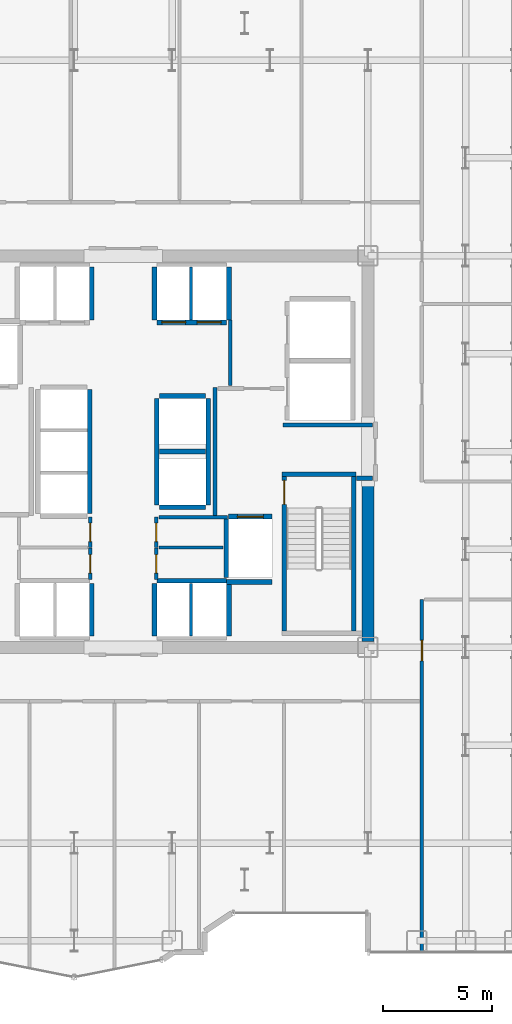
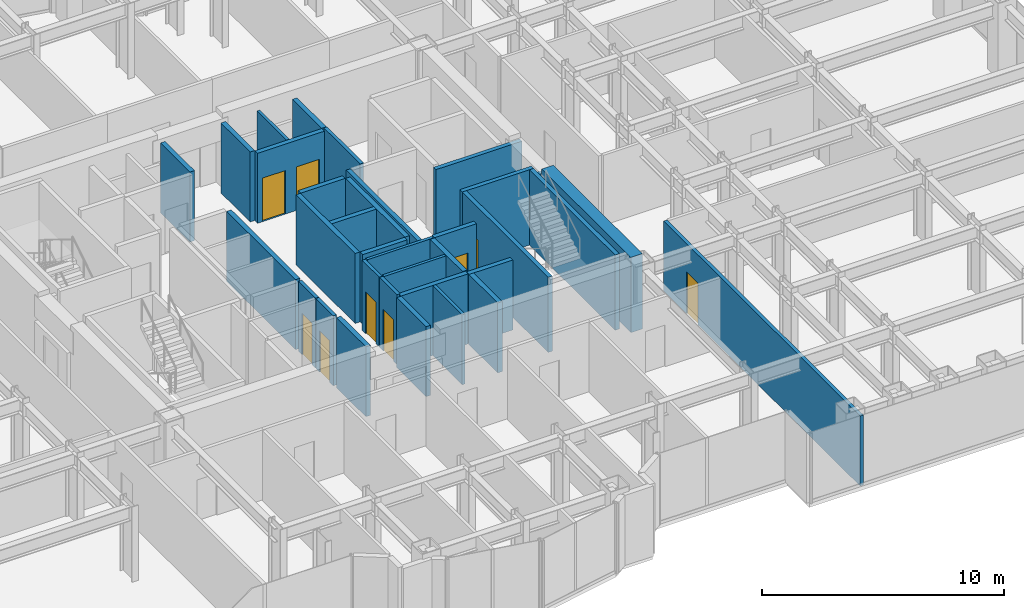
# One storey, part 22 of 26: 34 walls, 9 doors, 9 openings.
"""IFC4 building model written with IfcOpenShell, lengths in metres."""

from ifc_helpers import new_model, si_unit, direction, frame, frame_2d, origin, place, context, subcontext, project, spatial, rectangle, extrude, source, transform, mapped, material, layer, layer_set, type_object, element, fill, save


model = new_model("IFC4")

# Units and contexts
model_context = context("Model", 3, precision=1e-05, world=origin(), true_north=direction((0.0, 1.0)))
body_context = subcontext(model_context, "Body", "Model", "MODEL_VIEW")
ifc_project = project(units=[si_unit("LENGTHUNIT", "METRE"), si_unit("AREAUNIT", "SQUARE_METRE"), si_unit("VOLUMEUNIT", "CUBIC_METRE"), si_unit("PLANEANGLEUNIT", "RADIAN"), si_unit("MASSUNIT", "GRAM", prefix="KILO")], contexts=[model_context])

# Site, building, storey
site_placement = place(None, origin())
site = spatial("IfcSite", under=ifc_project, at=site_placement, CompositionType="ELEMENT")
building_placement = place(site_placement, origin())
building = spatial("IfcBuilding", under=site, at=building_placement, Name="Nefas-Gora Pilgrimage Tower", CompositionType="ELEMENT")
storey_placement = place(building_placement, frame((0.0, 0.0, 94.60009765625)))
storey = spatial("IfcBuildingStorey", under=building, at=storey_placement, Name="L22", CompositionType="ELEMENT", Elevation=94.60009765625)

# Walls
ifc_material_1 = material(Name="Concrete C60/75", Category="concrete")
ifc_layer_1 = layer(ifc_material_1, 0.550048828125)
ifc_layer_set_1 = layer_set([ifc_layer_1], Name="Concrete C60/75")
wall_type_1 = type_object("IfcWallType", Name="SW-CORE-550", PredefinedType="SHEAR", material=ifc_layer_set_1)
shared_shape_1 = source(origin(), body_context, "Body", "SweptSolid", [
    extrude(rectangle(XDim=7.375, YDim=0.550048828125, at=frame_2d((3.6875, 0.0))), origin(), (0.0, 0.0, 1.0), 3.7998046875),
])
wall_1_placement = place(storey_placement, frame((11.25, -8.72509765625, 0.0), z_axis=(0.0, 0.0, 1.0), x_axis=(0.0, 1.0, 0.0)))
element("IfcWall", 1, at=wall_1_placement, inside=storey, type_object=wall_type_1, Name="L22 Core Shear Wall E-South", PredefinedType="SHEAR", context=body_context, shape_type="MappedRepresentation", body=[
    mapped(shared_shape_1, transform((0.0, 0.0, 0.0), x_axis=(1.0, 0.0, 0.0), y_axis=(0.0, 1.0, 0.0), z_axis=(0.0, 0.0, 1.0), scale=1.0)),
])
ifc_material_2 = material(Name="Concrete C45/55", Category="concrete")
ifc_layer_2 = layer(ifc_material_2, 0.199951171875)
ifc_layer_set_2 = layer_set([ifc_layer_2], Name="Concrete C45/55")
wall_type_2 = type_object("IfcWallType", Name="IW-STAIR-200", PredefinedType="SOLIDWALL", material=ifc_layer_set_2)
shared_shape_2 = source(origin(), body_context, "Body", "SweptSolid", [
    extrude(rectangle(XDim=3.39990234375, YDim=0.199951171875, at=frame_2d((1.699951171875, 0.0))), origin(), (0.0, 0.0, 1.0), 3.7998046875),
])
wall_2_placement = place(storey_placement, frame((7.300048828125, -1.050048828125, 0.0), z_axis=(0.0, 0.0, 1.0), x_axis=(1.0, 0.0, 0.0)))
element("IfcWall", 2, at=wall_2_placement, inside=storey, type_object=wall_type_2, Name="L22 Stairwell Shear Wall ST-02-near", PredefinedType="SOLIDWALL", context=body_context, shape_type="MappedRepresentation", body=[
    mapped(shared_shape_2, transform((0.0, 0.0, 0.0), x_axis=(1.0, 0.0, 0.0), y_axis=(0.0, 1.0, 0.0), z_axis=(0.0, 0.0, 1.0), scale=1.0)),
])

# Wall, opening, door
shared_shape_3 = source(origin(), body_context, "Body", "SweptSolid", [
    extrude(rectangle(XDim=7.10009765625, YDim=0.199951171875, at=frame_2d((3.550048828125, 0.0))), origin(), (0.0, 0.0, 1.0), 3.7998046875),
])
wall_3_placement = place(storey_placement, frame((7.39990234375, -1.14990234375, 0.0), z_axis=(0.0, 0.0, 1.0), x_axis=(0.0, -1.0, 0.0)))
wall_3 = element("IfcWall", 3, at=wall_3_placement, inside=storey, type_object=wall_type_2, Name="L22 Stairwell Shear Wall ST-02-left", PredefinedType="SOLIDWALL", context=body_context, shape_type="MappedRepresentation", body=[
    mapped(shared_shape_3, transform((0.0, 0.0, 0.0), x_axis=(1.0, 0.0, 0.0), y_axis=(0.0, 1.0, 0.0), z_axis=(0.0, 0.0, 1.0), scale=1.0)),
])
opening_1_placement = place(wall_3_placement, frame((0.179931640625, 0.0, 0.0)))
opening_1 = element("IfcOpeningElement", 4, at=opening_1_placement, cuts=wall_3, Name="Opening ID-ST1", PredefinedType="OPENING", context=body_context, shape_type="SweptSolid", body=[
    extrude(rectangle(XDim=1.10009765625, YDim=2.14990234375, at=frame_2d((0.550048828125, 1.074951171875))), frame((0.0, 0.10986328125, 0.0), z_axis=(0.0, -1.0, 0.0), x_axis=(1.0, 0.0, 0.0)), (0.0, 0.0, 1.0), 0.219970703125),
])
ifc_material_3 = material(Name="Painted galvanised steel fire stair door", Category="steel")
door_type_1 = type_object("IfcDoorType", Name="DR-INT-STAIR-1100", OperationType="NOTDEFINED", PredefinedType="DOOR", material=ifc_material_3)
shared_shape_4 = source(origin(), body_context, "Body", "SweptSolid", [
    extrude(rectangle(XDim=1.10009765625, YDim=2.14990234375, at=frame_2d((0.550048828125, 1.074951171875))), frame((0.0, 0.02490234375, 0.0), z_axis=(0.0, -1.0, 0.0), x_axis=(1.0, 0.0, 0.0)), (0.0, 0.0, 1.0), 0.050048828125),
])
door_1_placement = place(opening_1_placement, origin())
door_1 = element("IfcDoor", 5, at=door_1_placement, inside=storey, type_object=door_type_1, Name="L22 Protected Exit Stair Door ST-02", OperationType="SINGLE_SWING_LEFT", OverallHeight=2.14990234375, OverallWidth=1.10009765625, PredefinedType="DOOR", context=body_context, shape_type="MappedRepresentation", body=[
    mapped(shared_shape_4, transform((0.0, 0.0, 0.0), x_axis=(1.0, 0.0, 0.0), y_axis=(0.0, 1.0, 0.0), z_axis=(0.0, 0.0, 1.0), scale=1.0)),
])
fill(opening_1, door_1)

# Wall
wall_4_placement = place(storey_placement, frame((10.60009765625, -1.14990234375, 0.0), z_axis=(0.0, 0.0, 1.0), x_axis=(0.0, -1.0, 0.0)))
element("IfcWall", 6, at=wall_4_placement, inside=storey, type_object=wall_type_2, Name="L22 Stairwell Shear Wall ST-02-right", PredefinedType="SOLIDWALL", context=body_context, shape_type="MappedRepresentation", body=[
    mapped(shared_shape_3, transform((0.0, 0.0, 0.0), x_axis=(1.0, 0.0, 0.0), y_axis=(0.0, 1.0, 0.0), z_axis=(0.0, 0.0, 1.0), scale=1.0)),
])

# Wall, opening, door
ifc_material_4 = material(Name="Concrete C40/50", Category="concrete")
ifc_layer_3 = layer(ifc_material_4, 0.219970703125)
ifc_layer_set_3 = layer_set([ifc_layer_3], Name="Concrete C40/50")
wall_type_3 = type_object("IfcWallType", Name="IW-SHAFT-220", PredefinedType="SOLIDWALL", material=ifc_layer_set_3)
shared_shape_5 = source(origin(), body_context, "Body", "SweptSolid", [
    extrude(rectangle(XDim=2.0, YDim=0.219970703125, at=frame_2d((1.0, 0.0))), origin(), (0.0, 0.0, 1.0), 3.534912109375),
])
wall_5_placement = place(storey_placement, frame((6.85009765625, -2.989990234375, 0.0), z_axis=(0.0, 0.0, 1.0), x_axis=(-1.0, 0.0, 0.0)))
wall_5 = element("IfcWall", 7, at=wall_5_placement, inside=storey, type_object=wall_type_3, Name="L22 Hoistway Wall FFL-02-N", PredefinedType="SOLIDWALL", context=body_context, shape_type="MappedRepresentation", body=[
    mapped(shared_shape_5, transform((0.0, 0.0, 0.0), x_axis=(1.0, 0.0, 0.0), y_axis=(0.0, 1.0, 0.0), z_axis=(0.0, 0.0, 1.0), scale=1.0)),
])
opening_2_placement = place(wall_5_placement, frame((0.39990234375, 0.0, 0.0)))
opening_2 = element("IfcOpeningElement", 8, at=opening_2_placement, cuts=wall_5, Name="Opening LD-FF", PredefinedType="OPENING", context=body_context, shape_type="SweptSolid", body=[
    extrude(rectangle(XDim=1.199951171875, YDim=2.199951171875, at=frame_2d((0.60009765625, 1.10009765625))), frame((0.0, 0.119873046875, 0.0), z_axis=(0.0, -1.0, 0.0), x_axis=(1.0, 0.0, 0.0)), (0.0, 0.0, 1.0), 0.239990234375),
])
ifc_material_5 = material(Name="Fire-service sliding lift landing door")
door_type_2 = type_object("IfcDoorType", Name="DR-LIFT-FSAE-1200", OperationType="SLIDING_TO_LEFT", PredefinedType="DOOR", material=ifc_material_5)
shared_shape_6 = source(origin(), body_context, "Body", "SweptSolid", [
    extrude(rectangle(XDim=1.199951171875, YDim=2.199951171875, at=frame_2d((0.60009765625, 1.10009765625))), frame((0.0, 0.02490234375, 0.0), z_axis=(0.0, -1.0, 0.0), x_axis=(1.0, 0.0, 0.0)), (0.0, 0.0, 1.0), 0.050048828125),
])
door_2_placement = place(opening_2_placement, origin())
door_2 = element("IfcDoor", 9, at=door_2_placement, inside=storey, type_object=door_type_2, Name="L22 Sliding Lift Landing Door FFL-02", OperationType="SLIDING_TO_LEFT", OverallHeight=2.199951171875, OverallWidth=1.199951171875, PredefinedType="DOOR", context=body_context, shape_type="MappedRepresentation", body=[
    mapped(shared_shape_6, transform((0.0, 0.0, 0.0), x_axis=(1.0, 0.0, 0.0), y_axis=(0.0, 1.0, 0.0), z_axis=(0.0, 0.0, 1.0), scale=1.0)),
])
fill(opening_2, door_2)

# Wall
shared_shape_7 = source(origin(), body_context, "Body", "SweptSolid", [
    extrude(rectangle(XDim=2.679931640625, YDim=0.219970703125, at=frame_2d((1.33984375, 0.0))), origin(), (0.0, 0.0, 1.0), 3.534912109375),
])
wall_6_placement = place(storey_placement, frame((4.739990234375, -3.110107421875, 0.0), z_axis=(0.0, 0.0, 1.0), x_axis=(0.0, -1.0, 0.0)))
element("IfcWall", 10, at=wall_6_placement, inside=storey, type_object=wall_type_3, Name="L22 Hoistway Wall FFL-02-W", PredefinedType="SOLIDWALL", context=body_context, shape_type="MappedRepresentation", body=[
    mapped(shared_shape_7, transform((0.0, 0.0, 0.0), x_axis=(1.0, 0.0, 0.0), y_axis=(0.0, 1.0, 0.0), z_axis=(0.0, 0.0, 1.0), scale=1.0)),
])

# Wall, openings, doors
shared_shape_8 = source(origin(), body_context, "Body", "SweptSolid", [
    extrude(rectangle(XDim=3.199951171875, YDim=0.219970703125, at=frame_2d((1.60009765625, 0.0))), origin(), (0.0, 0.0, 1.0), 3.534912109375),
])
wall_7_placement = place(storey_placement, frame((1.550048828125, 5.93994140625, 0.0), z_axis=(0.0, 0.0, 1.0), x_axis=(1.0, 0.0, 0.0)))
wall_7 = element("IfcWall", 11, at=wall_7_placement, inside=storey, type_object=wall_type_3, Name="L22 Hoistway Wall PL1-E-S", PredefinedType="SOLIDWALL", context=body_context, shape_type="MappedRepresentation", body=[
    mapped(shared_shape_8, transform((0.0, 0.0, 0.0), x_axis=(1.0, 0.0, 0.0), y_axis=(0.0, 1.0, 0.0), z_axis=(0.0, 0.0, 1.0), scale=1.0)),
])
opening_3_placement = place(wall_7_placement, frame((0.22509765625, 0.0, 0.0)))
opening_3 = element("IfcOpeningElement", 12, at=opening_3_placement, cuts=wall_7, Name="Opening LD-01", PredefinedType="OPENING", context=body_context, shape_type="SweptSolid", body=[
    extrude(rectangle(XDim=1.10009765625, YDim=2.199951171875, at=frame_2d((0.550048828125, 1.10009765625))), frame((0.0, 0.119873046875, 0.0), z_axis=(0.0, -1.0, 0.0), x_axis=(1.0, 0.0, 0.0)), (0.0, 0.0, 1.0), 0.239990234375),
])
opening_4_placement = place(wall_7_placement, frame((1.85009765625, 0.0, 0.0)))
opening_4 = element("IfcOpeningElement", 13, at=opening_4_placement, cuts=wall_7, Name="Opening LD-01", PredefinedType="OPENING", context=body_context, shape_type="SweptSolid", body=[
    extrude(rectangle(XDim=1.10009765625, YDim=2.199951171875, at=frame_2d((0.550048828125, 1.10009765625))), frame((0.0, 0.119873046875, 0.0), z_axis=(0.0, -1.0, 0.0), x_axis=(1.0, 0.0, 0.0)), (0.0, 0.0, 1.0), 0.239990234375),
])
ifc_material_6 = material(Name="Brushed stainless sliding lift landing door")
door_type_3 = type_object("IfcDoorType", Name="DR-LIFT-PASS-1100", OperationType="DOUBLE_DOOR_SLIDING", PredefinedType="DOOR", material=ifc_material_6)
shared_shape_9 = source(origin(), body_context, "Body", "SweptSolid", [
    extrude(rectangle(XDim=1.10009765625, YDim=2.199951171875, at=frame_2d((0.550048828125, 1.10009765625))), frame((0.0, 0.02490234375, 0.0), z_axis=(0.0, -1.0, 0.0), x_axis=(1.0, 0.0, 0.0)), (0.0, 0.0, 1.0), 0.050048828125),
])
door_3_placement = place(opening_3_placement, origin())
door_3 = element("IfcDoor", 14, at=door_3_placement, inside=storey, type_object=door_type_3, Name="L22 Sliding Lift Landing Door PL1-03", OperationType="DOUBLE_DOOR_SLIDING", OverallHeight=2.199951171875, OverallWidth=1.10009765625, PredefinedType="DOOR", context=body_context, shape_type="MappedRepresentation", body=[
    mapped(shared_shape_9, transform((0.0, 0.0, 0.0), x_axis=(1.0, 0.0, 0.0), y_axis=(0.0, 1.0, 0.0), z_axis=(0.0, 0.0, 1.0), scale=1.0)),
])
fill(opening_3, door_3)
door_4_placement = place(opening_4_placement, origin())
door_4 = element("IfcDoor", 15, at=door_4_placement, inside=storey, type_object=door_type_3, Name="L22 Sliding Lift Landing Door PL1-04", OperationType="DOUBLE_DOOR_SLIDING", OverallHeight=2.199951171875, OverallWidth=1.10009765625, PredefinedType="DOOR", context=body_context, shape_type="MappedRepresentation", body=[
    mapped(shared_shape_9, transform((0.0, 0.0, 0.0), x_axis=(1.0, 0.0, 0.0), y_axis=(0.0, 1.0, 0.0), z_axis=(0.0, 0.0, 1.0), scale=1.0)),
])
fill(opening_4, door_4)

# Walls
wall_8_placement = place(storey_placement, frame((4.75, -5.93994140625, 0.0), z_axis=(0.0, 0.0, 1.0), x_axis=(-1.0, 0.0, 0.0)))
element("IfcWall", 16, at=wall_8_placement, inside=storey, type_object=wall_type_3, Name="L22 Hoistway Wall PL2-E-N", PredefinedType="SOLIDWALL", context=body_context, shape_type="MappedRepresentation", body=[
    mapped(shared_shape_8, transform((0.0, 0.0, 0.0), x_axis=(1.0, 0.0, 0.0), y_axis=(0.0, 1.0, 0.0), z_axis=(0.0, 0.0, 1.0), scale=1.0)),
])
shared_shape_10 = source(origin(), body_context, "Body", "SweptSolid", [
    extrude(rectangle(XDim=2.429931640625, YDim=0.219970703125, at=frame_2d((1.21484375, 0.0))), origin(), (0.0, 0.0, 1.0), 3.534912109375),
])
for number, where, z_axis, x_axis, name in (
    (17, (-1.43994140625, 6.06005859375, 0.0), (0.0, 0.0, 1.0), (0.0, 1.0, 0.0), "L22 Hoistway Wall PL1-W-E"),
    (18, (1.43994140625, 8.489990234375, 0.0), (0.0, 0.0, 1.0), (0.0, -1.0, 0.0), "L22 Hoistway Wall PL1-E-W"),
    (19, (4.860107421875, 6.06005859375, 0.0), (0.0, 0.0, 1.0), (0.0, 1.0, 0.0), "L22 Hoistway Wall PL1-E-E"),
    (20, (-1.43994140625, -8.489990234375, 0.0), (0.0, 0.0, 1.0), (0.0, 1.0, 0.0), "L22 Hoistway Wall PL2-W-E"),
    (21, (1.43994140625, -6.06005859375, 0.0), (0.0, 0.0, 1.0), (0.0, -1.0, 0.0), "L22 Hoistway Wall PL2-E-W"),
    (22, (4.860107421875, -8.489990234375, 0.0), (0.0, 0.0, 1.0), (0.0, 1.0, 0.0), "L22 Hoistway Wall PL2-E-E"),
):
    element("IfcWall", number, at=place(storey_placement, frame(where, z_axis=z_axis, x_axis=x_axis)), inside=storey, type_object=wall_type_3, Name=name, PredefinedType="SOLIDWALL", context=body_context, shape_type="MappedRepresentation", body=[
        mapped(shared_shape_10, transform((0.0, 0.0, 0.0), x_axis=(1.0, 0.0, 0.0), y_axis=(0.0, 1.0, 0.0), z_axis=(0.0, 0.0, 1.0), scale=1.0)),
    ])
ifc_material_7 = material(Name="Gypsum twin-stud partition")
ifc_layer_4 = layer(ifc_material_7, 0.139892578125)
ifc_layer_set_4 = layer_set([ifc_layer_4], Name="Gypsum twin-stud partition")
wall_type_4 = type_object("IfcWallType", Name="IW-UNIT-140", PredefinedType="PARTITIONING", material=ifc_layer_set_4)
shared_shape_11 = source(origin(), body_context, "Body", "SweptSolid", [
    extrude(rectangle(XDim=2.429931640625, YDim=0.139892578125, at=frame_2d((1.21484375, 0.0))), origin(), (0.0, 0.0, 1.0), 3.534912109375),
])
for number, where, z_axis, x_axis, name in (
    (23, (3.125, 6.06005859375, 0.0), (0.0, 0.0, 1.0), (0.0, 1.0, 0.0), "L22 Hoistway Wall PL1-E-DIV"),
    (24, (3.125, -8.489990234375, 0.0), (0.0, 0.0, 1.0), (0.0, 1.0, 0.0), "L22 Hoistway Wall PL2-E-DIV"),
):
    element("IfcWall", number, at=place(storey_placement, frame(where, z_axis=z_axis, x_axis=x_axis)), inside=storey, type_object=wall_type_4, Name=name, PredefinedType="PARTITIONING", context=body_context, shape_type="MappedRepresentation", body=[
        mapped(shared_shape_11, transform((0.0, 0.0, 0.0), x_axis=(1.0, 0.0, 0.0), y_axis=(0.0, 1.0, 0.0), z_axis=(0.0, 0.0, 1.0), scale=1.0)),
    ])
shared_shape_12 = source(origin(), body_context, "Body", "SweptSolid", [
    extrude(rectangle(XDim=5.7001953125, YDim=0.219970703125, at=frame_2d((2.85009765625, 0.0))), origin(), (0.0, 0.0, 1.0), 3.534912109375),
])
wall_9_placement = place(storey_placement, frame((-1.5400390625, -2.85009765625, 0.0), z_axis=(0.0, 0.0, 1.0), x_axis=(0.0, 1.0, 0.0)))
element("IfcWall", 25, at=wall_9_placement, inside=storey, type_object=wall_type_3, Name="L22 Hoistway Wall PL3-01-03-E", PredefinedType="SOLIDWALL", context=body_context, shape_type="MappedRepresentation", body=[
    mapped(shared_shape_12, transform((0.0, 0.0, 0.0), x_axis=(1.0, 0.0, 0.0), y_axis=(0.0, 1.0, 0.0), z_axis=(0.0, 0.0, 1.0), scale=1.0)),
])
shared_shape_13 = source(origin(), body_context, "Body", "SweptSolid", [
    extrude(rectangle(XDim=2.130126953125, YDim=0.219970703125, at=frame_2d((1.06494140625, 0.0))), origin(), (0.0, 0.0, 1.0), 3.534912109375),
])
for number, where, z_axis, x_axis, name in (
    (26, (1.659912109375, -2.56005859375, 0.0), (0.0, 0.0, 1.0), (1.0, 0.0, 0.0), "L22 Hoistway Wall OBS-01-S"),
    (27, (1.659912109375, 0.0, 0.0), (0.0, 0.0, 1.0), (1.0, 0.0, 0.0), "L22 Hoistway Wall OBS-01-02-DIV"),
    (28, (3.7900390625, 2.56005859375, 0.0), (0.0, 0.0, 1.0), (-1.0, 0.0, 0.0), "L22 Hoistway Wall OBS-02-N"),
):
    element("IfcWall", number, at=place(storey_placement, frame(where, z_axis=z_axis, x_axis=x_axis)), inside=storey, type_object=wall_type_3, Name=name, PredefinedType="SOLIDWALL", context=body_context, shape_type="MappedRepresentation", body=[
        mapped(shared_shape_13, transform((0.0, 0.0, 0.0), x_axis=(1.0, 0.0, 0.0), y_axis=(0.0, 1.0, 0.0), z_axis=(0.0, 0.0, 1.0), scale=1.0)),
    ])
shared_shape_14 = source(origin(), body_context, "Body", "SweptSolid", [
    extrude(rectangle(XDim=4.89990234375, YDim=0.219970703125, at=frame_2d((2.449951171875, 0.0))), origin(), (0.0, 0.0, 1.0), 3.534912109375),
])
for number, where, z_axis, x_axis, name in (
    (29, (1.5400390625, 2.449951171875, 0.0), (0.0, 0.0, 1.0), (0.0, -1.0, 0.0), "L22 Hoistway Wall OBS-01-02-W"),
    (30, (3.909912109375, -2.449951171875, 0.0), (0.0, 0.0, 1.0), (0.0, 1.0, 0.0), "L22 Hoistway Wall OBS-01-02-E"),
):
    element("IfcWall", number, at=place(storey_placement, frame(where, z_axis=z_axis, x_axis=x_axis)), inside=storey, type_object=wall_type_3, Name=name, PredefinedType="SOLIDWALL", context=body_context, shape_type="MappedRepresentation", body=[
        mapped(shared_shape_14, transform((0.0, 0.0, 0.0), x_axis=(1.0, 0.0, 0.0), y_axis=(0.0, 1.0, 0.0), z_axis=(0.0, 0.0, 1.0), scale=1.0)),
    ])
shared_shape_15 = source(origin(), body_context, "Body", "SweptSolid", [
    extrude(rectangle(XDim=2.09521484375, YDim=0.219970703125, at=frame_2d((1.047607421875, 0.0))), origin(), (0.0, 0.0, 1.0), 3.534912109375),
])
wall_10_placement = place(storey_placement, frame((4.7548828125, -6.0, 0.0), z_axis=(0.0, 0.0, 1.0), x_axis=(1.0, 0.0, 0.0)))
element("IfcWall", 31, at=wall_10_placement, inside=storey, type_object=wall_type_3, Name="L22 Riser Shaft Wall 2", PredefinedType="SOLIDWALL", context=body_context, shape_type="MappedRepresentation", body=[
    mapped(shared_shape_15, transform((0.0, 0.0, 0.0), x_axis=(1.0, 0.0, 0.0), y_axis=(0.0, 1.0, 0.0), z_axis=(0.0, 0.0, 1.0), scale=1.0)),
])
ifc_material_8 = material(Name="Gypsum fire-rated shaftwall")
ifc_layer_5 = layer(ifc_material_8, 0.199951171875)
ifc_layer_set_5 = layer_set([ifc_layer_5], Name="Gypsum fire-rated shaftwall")
wall_type_5 = type_object("IfcWallType", Name="IW-FFLOB-200", PredefinedType="PARTITIONING", material=ifc_layer_set_5)
shared_shape_16 = source(origin(), body_context, "Body", "SweptSolid", [
    extrude(rectangle(XDim=5.89990234375, YDim=0.199951171875, at=frame_2d((2.949951171875, 0.0))), origin(), (0.0, 0.0, 1.0), 3.534912109375),
])
wall_11_placement = place(storey_placement, frame((4.219970703125, -2.949951171875, 0.0), z_axis=(0.0, 0.0, 1.0), x_axis=(0.0, 1.0, 0.0)))
element("IfcWall", 32, at=wall_11_placement, inside=storey, type_object=wall_type_5, Name="L22 FF Lobby East Inner Wall Wall 9", PredefinedType="PARTITIONING", context=body_context, shape_type="MappedRepresentation", body=[
    mapped(shared_shape_16, transform((0.0, 0.0, 0.0), x_axis=(1.0, 0.0, 0.0), y_axis=(0.0, 1.0, 0.0), z_axis=(0.0, 0.0, 1.0), scale=1.0)),
])
shared_shape_17 = source(origin(), body_context, "Body", "SweptSolid", [
    extrude(rectangle(XDim=0.719970703125, YDim=0.199951171875, at=frame_2d((0.35986328125, 0.0))), origin(), (0.0, 0.0, 1.0), 3.534912109375),
])
wall_12_placement = place(storey_placement, frame((10.739990234375, -1.219970703125, 0.0), z_axis=(0.0, 0.0, 1.0), x_axis=(1.0, 0.0, 0.0)))
element("IfcWall", 33, at=wall_12_placement, inside=storey, type_object=wall_type_5, Name="L22 FF Lobby East Throat S Wall 12", PredefinedType="PARTITIONING", context=body_context, shape_type="MappedRepresentation", body=[
    mapped(shared_shape_17, transform((0.0, 0.0, 0.0), x_axis=(1.0, 0.0, 0.0), y_axis=(0.0, 1.0, 0.0), z_axis=(0.0, 0.0, 1.0), scale=1.0)),
])
shared_shape_18 = source(origin(), body_context, "Body", "SweptSolid", [
    extrude(rectangle(XDim=4.10986328125, YDim=0.199951171875, at=frame_2d((2.054931640625, 0.0))), origin(), (0.0, 0.0, 1.0), 3.534912109375),
])
wall_13_placement = place(storey_placement, frame((7.35009765625, 1.219970703125, 0.0), z_axis=(0.0, 0.0, 1.0), x_axis=(1.0, 0.0, 0.0)))
element("IfcWall", 34, at=wall_13_placement, inside=storey, type_object=wall_type_5, Name="L22 FF Lobby East Throat N Wall 11", PredefinedType="PARTITIONING", context=body_context, shape_type="MappedRepresentation", body=[
    mapped(shared_shape_18, transform((0.0, 0.0, 0.0), x_axis=(1.0, 0.0, 0.0), y_axis=(0.0, 1.0, 0.0), z_axis=(0.0, 0.0, 1.0), scale=1.0)),
])
ifc_material_9 = material(Name="Gypsum acoustic stud partition")
ifc_layer_6 = layer(ifc_material_9, 0.159912109375)
ifc_layer_set_6 = layer_set([ifc_layer_6], Name="Gypsum acoustic stud partition")
wall_type_6 = type_object("IfcWallType", Name="IW-CORR-160", PredefinedType="PARTITIONING", material=ifc_layer_set_6)
shared_shape_19 = source(origin(), body_context, "Body", "SweptSolid", [
    extrude(rectangle(XDim=3.014892578125, YDim=0.159912109375, at=frame_2d((1.50732421875, 0.0))), origin(), (0.0, 0.0, 1.0), 3.534912109375),
])
wall_14_placement = place(storey_placement, frame((4.919921875, 3.0400390625, 0.0), z_axis=(0.0, 0.0, 1.0), x_axis=(0.0, 1.0, 0.0)))
element("IfcWall", 35, at=wall_14_placement, inside=storey, type_object=wall_type_6, Name="L22 Service Lift Lobby West Wall Wall 15", PredefinedType="PARTITIONING", context=body_context, shape_type="MappedRepresentation", body=[
    mapped(shared_shape_19, transform((0.0, 0.0, 0.0), x_axis=(1.0, 0.0, 0.0), y_axis=(0.0, 1.0, 0.0), z_axis=(0.0, 0.0, 1.0), scale=1.0)),
])
shared_shape_20 = source(origin(), body_context, "Body", "SweptSolid", [
    extrude(rectangle(XDim=2.9501953125, YDim=0.139892578125, at=frame_2d((1.47509765625, 0.0))), origin(), (0.0, 0.0, 1.0), 3.534912109375),
])
wall_15_placement = place(storey_placement, frame((1.639892578125, -4.409912109375, 0.0), z_axis=(0.0, 0.0, 1.0), x_axis=(1.0, 0.0, 0.0)))
element("IfcWall", 36, at=wall_15_placement, inside=storey, type_object=wall_type_4, Name="L22 Clean Blanket and Robe Store Partition Wall 23", PredefinedType="PARTITIONING", context=body_context, shape_type="MappedRepresentation", body=[
    mapped(shared_shape_20, transform((0.0, 0.0, 0.0), x_axis=(1.0, 0.0, 0.0), y_axis=(0.0, 1.0, 0.0), z_axis=(0.0, 0.0, 1.0), scale=1.0)),
])

# Wall, opening, door
shared_shape_21 = source(origin(), body_context, "Body", "SweptSolid", [
    extrude(rectangle(XDim=1.409912109375, YDim=0.159912109375, at=frame_2d((0.705078125, 0.0))), origin(), (0.0, 0.0, 1.0), 3.534912109375),
])
wall_16_placement = place(storey_placement, frame((-1.52001953125, -4.419921875, 0.0), z_axis=(0.0, 0.0, 1.0), x_axis=(0.0, 1.0, 0.0)))
wall_16 = element("IfcWall", 37, at=wall_16_placement, inside=storey, type_object=wall_type_6, Name="L22 Housekeeping and Linen Store Wall 16", PredefinedType="PARTITIONING", context=body_context, shape_type="MappedRepresentation", body=[
    mapped(shared_shape_21, transform((0.0, 0.0, 0.0), x_axis=(1.0, 0.0, 0.0), y_axis=(0.0, 1.0, 0.0), z_axis=(0.0, 0.0, 1.0), scale=1.0)),
])
opening_5_placement = place(wall_16_placement, frame((0.280029296875, 0.0, 0.0)))
opening_5 = element("IfcOpeningElement", 38, at=opening_5_placement, cuts=wall_16, Name="Opening ID-BT1", PredefinedType="OPENING", context=body_context, shape_type="SweptSolid", body=[
    extrude(rectangle(XDim=0.85009765625, YDim=2.10009765625, at=frame_2d((0.425048828125, 1.050048828125))), frame((0.0, 0.08984375, 0.0), z_axis=(0.0, -1.0, 0.0), x_axis=(1.0, 0.0, 0.0)), (0.0, 0.0, 1.0), 0.179931640625),
])
ifc_material_10 = material(Name="Moisture-resistant fire-rated timber door", Category="wood")
door_type_4 = type_object("IfcDoorType", Name="DR-INT-BATH-850", OperationType="NOTDEFINED", PredefinedType="DOOR", material=ifc_material_10)
shared_shape_22 = source(origin(), body_context, "Body", "SweptSolid", [
    extrude(rectangle(XDim=0.85009765625, YDim=2.10009765625, at=frame_2d((0.425048828125, 1.050048828125))), frame((0.0, 0.02490234375, 0.0), z_axis=(0.0, -1.0, 0.0), x_axis=(1.0, 0.0, 0.0)), (0.0, 0.0, 1.0), 0.050048828125),
])
door_5_placement = place(opening_5_placement, origin())
door_5 = element("IfcDoor", 39, at=door_5_placement, inside=storey, type_object=door_type_4, Name="L22 Housekeeping and Linen Store Door 6", OperationType="SINGLE_SWING_RIGHT", OverallHeight=2.10009765625, OverallWidth=0.85009765625, PredefinedType="DOOR", context=body_context, shape_type="MappedRepresentation", body=[
    mapped(shared_shape_22, transform((0.0, 0.0, 0.0), x_axis=(1.0, 0.0, 0.0), y_axis=(0.0, 1.0, 0.0), z_axis=(0.0, 0.0, 1.0), scale=1.0)),
])
fill(opening_5, door_5)

wall_17_placement = place(storey_placement, frame((1.52001953125, -4.419921875, 0.0), z_axis=(0.0, 0.0, 1.0), x_axis=(0.0, 1.0, 0.0)))
wall_17 = element("IfcWall", 40, at=wall_17_placement, inside=storey, type_object=wall_type_6, Name="L22 Clean Blanket and Robe Store Wall 21", PredefinedType="PARTITIONING", context=body_context, shape_type="MappedRepresentation", body=[
    mapped(shared_shape_21, transform((0.0, 0.0, 0.0), x_axis=(1.0, 0.0, 0.0), y_axis=(0.0, 1.0, 0.0), z_axis=(0.0, 0.0, 1.0), scale=1.0)),
])
opening_6_placement = place(wall_17_placement, frame((0.280029296875, 0.0, 0.0)))
opening_6 = element("IfcOpeningElement", 41, at=opening_6_placement, cuts=wall_17, Name="Opening ID-BT1", PredefinedType="OPENING", context=body_context, shape_type="SweptSolid", body=[
    extrude(rectangle(XDim=0.85009765625, YDim=2.10009765625, at=frame_2d((0.425048828125, 1.050048828125))), frame((0.0, 0.08984375, 0.0), z_axis=(0.0, -1.0, 0.0), x_axis=(1.0, 0.0, 0.0)), (0.0, 0.0, 1.0), 0.179931640625),
])
door_6_placement = place(opening_6_placement, origin())
door_6 = element("IfcDoor", 42, at=door_6_placement, inside=storey, type_object=door_type_4, Name="L22 Clean Blanket and Robe Store Door 8", OperationType="SINGLE_SWING_RIGHT", OverallHeight=2.10009765625, OverallWidth=0.85009765625, PredefinedType="DOOR", context=body_context, shape_type="MappedRepresentation", body=[
    mapped(shared_shape_22, transform((0.0, 0.0, 0.0), x_axis=(1.0, 0.0, 0.0), y_axis=(0.0, 1.0, 0.0), z_axis=(0.0, 0.0, 1.0), scale=1.0)),
])
fill(opening_6, door_6)

# Wall
shared_shape_23 = source(origin(), body_context, "Body", "SweptSolid", [
    extrude(rectangle(XDim=3.150146484375, YDim=0.139892578125, at=frame_2d((1.5751953125, 0.0))), origin(), (0.0, 0.0, 1.0), 3.534912109375),
])
wall_18_placement = place(storey_placement, frame((1.639892578125, -3.02001953125, 0.0), z_axis=(0.0, 0.0, 1.0), x_axis=(1.0, 0.0, 0.0)))
element("IfcWall", 43, at=wall_18_placement, inside=storey, type_object=wall_type_4, Name="L22 Clean Blanket and Robe Store Partition Wall 22", PredefinedType="PARTITIONING", context=body_context, shape_type="MappedRepresentation", body=[
    mapped(shared_shape_23, transform((0.0, 0.0, 0.0), x_axis=(1.0, 0.0, 0.0), y_axis=(0.0, 1.0, 0.0), z_axis=(0.0, 0.0, 1.0), scale=1.0)),
])

# Wall, opening, door
shared_shape_24 = source(origin(), body_context, "Body", "SweptSolid", [
    extrude(rectangle(XDim=1.449951171875, YDim=0.159912109375, at=frame_2d((0.72509765625, 0.0))), origin(), (0.0, 0.0, 1.0), 3.534912109375),
])
wall_19_placement = place(storey_placement, frame((-1.52001953125, -5.889892578125, 0.0), z_axis=(0.0, 0.0, 1.0), x_axis=(0.0, 1.0, 0.0)))
wall_19 = element("IfcWall", 44, at=wall_19_placement, inside=storey, type_object=wall_type_6, Name="L22 Guest Self-Service Laundry Room Wall 19", PredefinedType="PARTITIONING", context=body_context, shape_type="MappedRepresentation", body=[
    mapped(shared_shape_24, transform((0.0, 0.0, 0.0), x_axis=(1.0, 0.0, 0.0), y_axis=(0.0, 1.0, 0.0), z_axis=(0.0, 0.0, 1.0), scale=1.0)),
])
opening_7_placement = place(wall_19_placement, frame((0.300048828125, 0.0, 0.0)))
opening_7 = element("IfcOpeningElement", 45, at=opening_7_placement, cuts=wall_19, Name="Opening ID-BT1", PredefinedType="OPENING", context=body_context, shape_type="SweptSolid", body=[
    extrude(rectangle(XDim=0.85009765625, YDim=2.10009765625, at=frame_2d((0.425048828125, 1.050048828125))), frame((0.0, 0.08984375, 0.0), z_axis=(0.0, -1.0, 0.0), x_axis=(1.0, 0.0, 0.0)), (0.0, 0.0, 1.0), 0.179931640625),
])
door_7_placement = place(opening_7_placement, origin())
door_7 = element("IfcDoor", 46, at=door_7_placement, inside=storey, type_object=door_type_4, Name="L22 Guest Self-Service Laundry Room Door 7", OperationType="SINGLE_SWING_LEFT", OverallHeight=2.10009765625, OverallWidth=0.85009765625, PredefinedType="DOOR", context=body_context, shape_type="MappedRepresentation", body=[
    mapped(shared_shape_22, transform((0.0, 0.0, 0.0), x_axis=(1.0, 0.0, 0.0), y_axis=(0.0, 1.0, 0.0), z_axis=(0.0, 0.0, 1.0), scale=1.0)),
])
fill(opening_7, door_7)

wall_20_placement = place(storey_placement, frame((1.52001953125, -5.889892578125, 0.0), z_axis=(0.0, 0.0, 1.0), x_axis=(0.0, 1.0, 0.0)))
wall_20 = element("IfcWall", 47, at=wall_20_placement, inside=storey, type_object=wall_type_6, Name="L22 Core Amenity Supply Store Wall 24", PredefinedType="PARTITIONING", context=body_context, shape_type="MappedRepresentation", body=[
    mapped(shared_shape_24, transform((0.0, 0.0, 0.0), x_axis=(1.0, 0.0, 0.0), y_axis=(0.0, 1.0, 0.0), z_axis=(0.0, 0.0, 1.0), scale=1.0)),
])
opening_8_placement = place(wall_20_placement, frame((0.300048828125, 0.0, 0.0)))
opening_8 = element("IfcOpeningElement", 48, at=opening_8_placement, cuts=wall_20, Name="Opening ID-BT1", PredefinedType="OPENING", context=body_context, shape_type="SweptSolid", body=[
    extrude(rectangle(XDim=0.85009765625, YDim=2.10009765625, at=frame_2d((0.425048828125, 1.050048828125))), frame((0.0, 0.08984375, 0.0), z_axis=(0.0, -1.0, 0.0), x_axis=(1.0, 0.0, 0.0)), (0.0, 0.0, 1.0), 0.179931640625),
])
door_8_placement = place(opening_8_placement, origin())
door_8 = element("IfcDoor", 49, at=door_8_placement, inside=storey, type_object=door_type_4, Name="L22 Core Amenity Supply Store Door 9", OperationType="SINGLE_SWING_LEFT", OverallHeight=2.10009765625, OverallWidth=0.85009765625, PredefinedType="DOOR", context=body_context, shape_type="MappedRepresentation", body=[
    mapped(shared_shape_22, transform((0.0, 0.0, 0.0), x_axis=(1.0, 0.0, 0.0), y_axis=(0.0, 1.0, 0.0), z_axis=(0.0, 0.0, 1.0), scale=1.0)),
])
fill(opening_8, door_8)

shared_shape_25 = source(origin(), body_context, "Body", "SweptSolid", [
    extrude(rectangle(XDim=16.2451171875, YDim=0.159912109375, at=frame_2d((8.12255859375, 0.0))), origin(), (0.0, 0.0, 1.0), 3.534912109375),
])
wall_21_placement = place(storey_placement, frame((13.739990234375, -23.0400390625, 0.0), z_axis=(0.0, 0.0, 1.0), x_axis=(0.0, 1.0, 0.0)))
wall_21 = element("IfcWall", 50, at=wall_21_placement, inside=storey, type_object=wall_type_6, Name="L22 Pilgrim Fellowship Seminar Room Partition Wall 38", PredefinedType="PARTITIONING", context=body_context, shape_type="MappedRepresentation", body=[
    mapped(shared_shape_25, transform((0.0, 0.0, 0.0), x_axis=(1.0, 0.0, 0.0), y_axis=(0.0, 1.0, 0.0), z_axis=(0.0, 0.0, 1.0), scale=1.0)),
])
opening_9_placement = place(wall_21_placement, frame((13.41259765625, 0.0, 0.0)))
opening_9 = element("IfcOpeningElement", 51, at=opening_9_placement, cuts=wall_21, Name="Opening ID-GR1", PredefinedType="OPENING", context=body_context, shape_type="SweptSolid", body=[
    extrude(rectangle(XDim=0.949951171875, YDim=2.10009765625, at=frame_2d((0.47509765625, 1.050048828125))), frame((0.0, 0.08984375, 0.0), z_axis=(0.0, -1.0, 0.0), x_axis=(1.0, 0.0, 0.0)), (0.0, 0.0, 1.0), 0.179931640625),
])
ifc_material_11 = material(Name="Solid core oak fire-rated guest entrance door")
door_type_5 = type_object("IfcDoorType", Name="DR-INT-GUEST-950", OperationType="NOTDEFINED", PredefinedType="DOOR", material=ifc_material_11)
shared_shape_26 = source(origin(), body_context, "Body", "SweptSolid", [
    extrude(rectangle(XDim=0.949951171875, YDim=2.10009765625, at=frame_2d((0.47509765625, 1.050048828125))), frame((0.0, 0.02490234375, 0.0), z_axis=(0.0, -1.0, 0.0), x_axis=(1.0, 0.0, 0.0)), (0.0, 0.0, 1.0), 0.050048828125),
])
door_9_placement = place(opening_9_placement, origin())
door_9 = element("IfcDoor", 52, at=door_9_placement, inside=storey, type_object=door_type_5, Name="L22 Pilgrim Fellowship Seminar Room Door 16", OperationType="SINGLE_SWING_RIGHT", OverallHeight=2.10009765625, OverallWidth=0.949951171875, PredefinedType="DOOR", context=body_context, shape_type="MappedRepresentation", body=[
    mapped(shared_shape_26, transform((0.0, 0.0, 0.0), x_axis=(1.0, 0.0, 0.0), y_axis=(0.0, 1.0, 0.0), z_axis=(0.0, 0.0, 1.0), scale=1.0)),
])
fill(opening_9, door_9)

save(model, "model.ifc")
